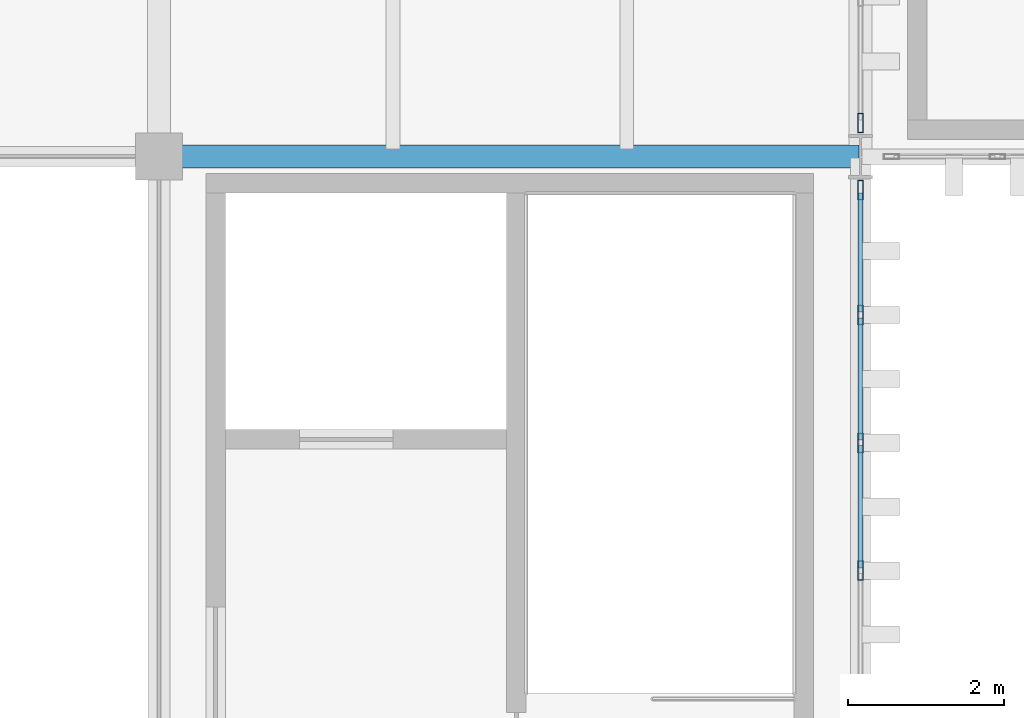
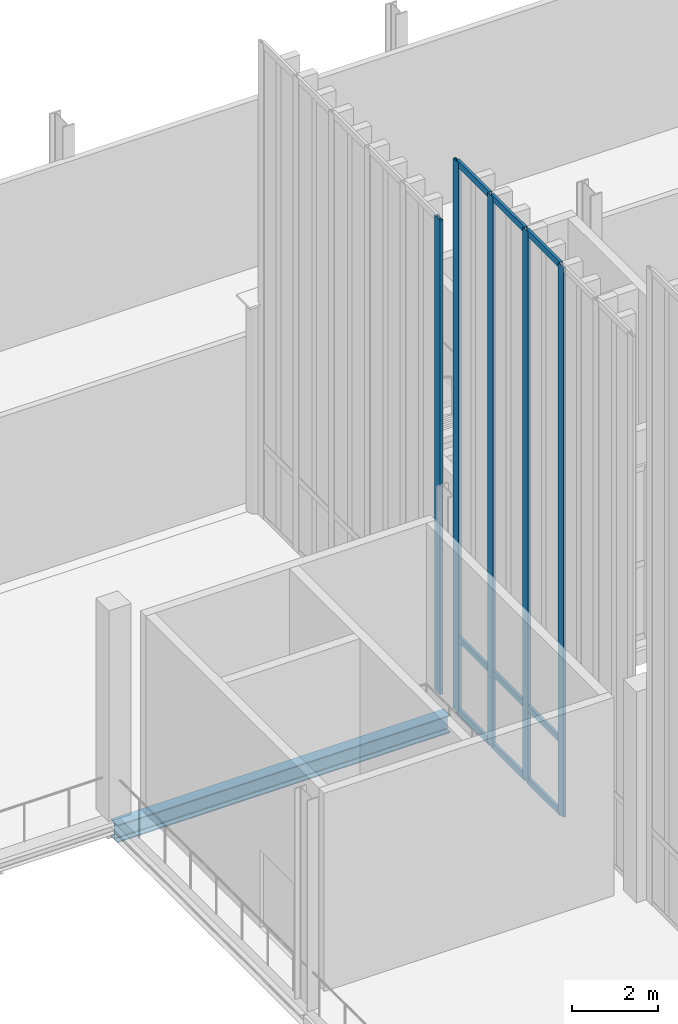
# One storey, part 69 of 237: 14 members, 1 beam, 2 elements without a shape of their own.
"""IFC4 building model written with IfcOpenShell, lengths in metres."""

from ifc_helpers import new_model, si_unit, direction, frame, origin, origin_2d, place, context, subcontext, project, spatial, hollow_rectangle, i_section, extrude, material, layer, layer_set, material_profile, profile_set, type_object, element, aggregate, save


model = new_model("IFC4")

# Units and contexts
model_context = context("Model", 3, precision=1e-05, world=origin(), true_north=direction((0.0, 1.0)))
body_context = subcontext(model_context, "Body", "Model", "MODEL_VIEW")
ifc_project = project(units=[si_unit("LENGTHUNIT", "METRE"), si_unit("AREAUNIT", "SQUARE_METRE"), si_unit("VOLUMEUNIT", "CUBIC_METRE"), si_unit("PLANEANGLEUNIT", "RADIAN"), si_unit("MASSUNIT", "GRAM", prefix="KILO")], contexts=[model_context])

# Site, building, storey
site_placement = place(None, origin())
site = spatial("IfcSite", under=ifc_project, at=site_placement, CompositionType="ELEMENT")
building_placement = place(site_placement, origin())
building = spatial("IfcBuilding", under=site, at=building_placement, Name="Barlavento Convention Centre", CompositionType="ELEMENT")
storey_placement = place(building_placement, frame((0.0, 0.0, 12.0)))
storey = spatial("IfcBuildingStorey", under=building, at=storey_placement, Name="L02", CompositionType="ELEMENT", Elevation=12.0)

# Curtain wall, members
ifc_material_1 = material(Name="Powder-coated aluminium and Low-E glass", Category="aluminium")
ifc_layer = layer(ifc_material_1, 0.18994140625)
ifc_layer_set = layer_set([ifc_layer], Name="ARC-CW-CONG-L02")
curtain_wall_type = type_object("IfcCurtainWallType", Name="ARC-CW-CONG-L02", PredefinedType="NOTDEFINED", material=ifc_layer_set)
curtain_wall_1_placement = place(storey_placement, origin())
curtain_wall_1 = element("IfcCurtainWall", 1, at=curtain_wall_1_placement, inside=storey, type_object=curtain_wall_type, Name="L02 unitised curtain wall CW02", PredefinedType="NOTDEFINED")
ifc_material_2 = material(Name="Powder-coated aluminium", Category="aluminium")
ifc_material_profile_1 = material_profile(ifc_material_2, hollow_rectangle(XDim=0.074951171875, YDim=0.25, WallThickness=0.006103515625, at=origin_2d()), Name="AL-MULL 75x250x6")
ifc_profile_set_1 = profile_set([ifc_material_profile_1], Name="Powder-coated aluminium")
member_type_1 = type_object("IfcMemberType", Name="ARC-CWM-75X250", PredefinedType="MULLION", material=ifc_profile_set_1)
member_1_placement = place(storey_placement, frame((63.0, 39.6865234375, 0.0), z_axis=(0.0, 0.0, 1.0), x_axis=(-1.0, 0.0, 0.0)))
member_1 = element("IfcMember", 2, at=member_1_placement, type_object=member_type_1, Name="CW02 mullion 3", PredefinedType="MULLION", context=body_context, shape_type="SweptSolid", body=[
    extrude(hollow_rectangle(XDim=0.074951171875, YDim=0.25, WallThickness=0.006103515625, at=origin_2d()), origin(), (0.0, 0.0, 1.0), 15.64111328125),
])
member_2_placement = place(storey_placement, frame((63.0, 41.327392578125, 0.0), z_axis=(0.0, 0.0, 1.0), x_axis=(-1.0, 0.0, 0.0)))
member_2 = element("IfcMember", 3, at=member_2_placement, type_object=member_type_1, Name="CW02 mullion 4", PredefinedType="MULLION", context=body_context, shape_type="SweptSolid", body=[
    extrude(hollow_rectangle(XDim=0.074951171875, YDim=0.25, WallThickness=0.006103515625, at=origin_2d()), origin(), (0.0, 0.0, 1.0), 15.64111328125),
])
member_3_placement = place(storey_placement, frame((63.0, 42.96826171875, 0.0), z_axis=(0.0, 0.0, 1.0), x_axis=(-1.0, 0.0, 0.0)))
member_3 = element("IfcMember", 4, at=member_3_placement, type_object=member_type_1, Name="CW02 mullion 5", PredefinedType="MULLION", context=body_context, shape_type="SweptSolid", body=[
    extrude(hollow_rectangle(XDim=0.074951171875, YDim=0.25, WallThickness=0.006103515625, at=origin_2d()), origin(), (0.0, 0.0, 1.0), 15.64111328125),
])
member_4_placement = place(storey_placement, frame((63.0, 44.571533203125, 0.0), z_axis=(0.0, 0.0, 1.0), x_axis=(-1.0, 0.0, 0.0)))
member_4 = element("IfcMember", 5, at=member_4_placement, type_object=member_type_1, Name="CW02 mullion 6", PredefinedType="MULLION", context=body_context, shape_type="SweptSolid", body=[
    extrude(hollow_rectangle(XDim=0.074951171875, YDim=0.25, WallThickness=0.006103515625, at=origin_2d()), origin(), (0.0, 0.0, 1.0), 15.64111328125),
])

# Curtain wall, member
curtain_wall_2_placement = place(storey_placement, origin())
curtain_wall_2 = element("IfcCurtainWall", 6, at=curtain_wall_2_placement, inside=storey, type_object=curtain_wall_type, Name="L02 unitised curtain wall CW02", PredefinedType="NOTDEFINED")
member_5_placement = place(storey_placement, frame((63.0, 45.428466796875, 0.0), z_axis=(0.0, 0.0, 1.0), x_axis=(-1.0, 0.0, 0.0)))
member_5 = element("IfcMember", 7, at=member_5_placement, type_object=member_type_1, Name="CW02 mullion 1", PredefinedType="MULLION", context=body_context, shape_type="SweptSolid", body=[
    extrude(hollow_rectangle(XDim=0.074951171875, YDim=0.25, WallThickness=0.006103515625, at=origin_2d()), origin(), (0.0, 0.0, 1.0), 13.5029296875),
])
aggregate(curtain_wall_2, [member_5])

# Member
ifc_material_profile_2 = material_profile(ifc_material_2, hollow_rectangle(XDim=0.070068359375, YDim=0.179931640625, WallThickness=0.0048828125, at=origin_2d()), Name="AL-TRAN 70x180x5")
ifc_profile_set_2 = profile_set([ifc_material_profile_2], Name="Powder-coated aluminium")
member_type_2 = type_object("IfcMemberType", Name="ARC-CWT-70X180", PredefinedType="USERDEFINED", material=ifc_profile_set_2)
member_6_placement = place(storey_placement, frame((63.0, 39.72412109375, 0.034912109375), z_axis=(0.0, 1.0, 0.0), x_axis=(-1.0, 0.0, 0.0)))
member_6 = element("IfcMember", 8, at=member_6_placement, type_object=member_type_2, Name="CW02 transom 3.1", ObjectType="TRANSOM", PredefinedType="USERDEFINED", context=body_context, shape_type="SweptSolid", body=[
    extrude(hollow_rectangle(XDim=0.070068359375, YDim=0.179931640625, WallThickness=0.0048828125, at=origin_2d()), origin(), (0.0, 0.0, 1.0), 1.565673828125),
])

member_7_placement = place(storey_placement, frame((63.0, 39.72412109375, 2.10009765625), z_axis=(0.0, 1.0, 0.0), x_axis=(-1.0, 0.0, 0.0)))
member_7 = element("IfcMember", 9, at=member_7_placement, type_object=member_type_2, Name="CW02 transom 3.2", ObjectType="TRANSOM", PredefinedType="USERDEFINED", context=body_context, shape_type="SweptSolid", body=[
    extrude(hollow_rectangle(XDim=0.070068359375, YDim=0.179931640625, WallThickness=0.0048828125, at=origin_2d()), origin(), (0.0, 0.0, 1.0), 1.565673828125),
])

member_8_placement = place(storey_placement, frame((63.0, 39.72412109375, 15.60595703125), z_axis=(0.0, 1.0, 0.0), x_axis=(-1.0, 0.0, 0.0)))
member_8 = element("IfcMember", 10, at=member_8_placement, type_object=member_type_2, Name="CW02 transom 3.3", ObjectType="TRANSOM", PredefinedType="USERDEFINED", context=body_context, shape_type="SweptSolid", body=[
    extrude(hollow_rectangle(XDim=0.070068359375, YDim=0.179931640625, WallThickness=0.0048828125, at=origin_2d()), origin(), (0.0, 0.0, 1.0), 1.565673828125),
])

member_9_placement = place(storey_placement, frame((63.0, 41.364990234375, 0.034912109375), z_axis=(0.0, 1.0, 0.0), x_axis=(-1.0, 0.0, 0.0)))
member_9 = element("IfcMember", 11, at=member_9_placement, type_object=member_type_2, Name="CW02 transom 4.1", ObjectType="TRANSOM", PredefinedType="USERDEFINED", context=body_context, shape_type="SweptSolid", body=[
    extrude(hollow_rectangle(XDim=0.070068359375, YDim=0.179931640625, WallThickness=0.0048828125, at=origin_2d()), origin(), (0.0, 0.0, 1.0), 1.565673828125),
])

member_10_placement = place(storey_placement, frame((63.0, 41.364990234375, 2.10009765625), z_axis=(0.0, 1.0, 0.0), x_axis=(-1.0, 0.0, 0.0)))
member_10 = element("IfcMember", 12, at=member_10_placement, type_object=member_type_2, Name="CW02 transom 4.2", ObjectType="TRANSOM", PredefinedType="USERDEFINED", context=body_context, shape_type="SweptSolid", body=[
    extrude(hollow_rectangle(XDim=0.070068359375, YDim=0.179931640625, WallThickness=0.0048828125, at=origin_2d()), origin(), (0.0, 0.0, 1.0), 1.565673828125),
])

member_11_placement = place(storey_placement, frame((63.0, 41.364990234375, 15.60595703125), z_axis=(0.0, 1.0, 0.0), x_axis=(-1.0, 0.0, 0.0)))
member_11 = element("IfcMember", 13, at=member_11_placement, type_object=member_type_2, Name="CW02 transom 4.3", ObjectType="TRANSOM", PredefinedType="USERDEFINED", context=body_context, shape_type="SweptSolid", body=[
    extrude(hollow_rectangle(XDim=0.070068359375, YDim=0.179931640625, WallThickness=0.0048828125, at=origin_2d()), origin(), (0.0, 0.0, 1.0), 1.565673828125),
])

member_12_placement = place(storey_placement, frame((63.0, 43.005615234375, 0.034912109375), z_axis=(0.0, 1.0, 0.0), x_axis=(-1.0, 0.0, 0.0)))
member_12 = element("IfcMember", 14, at=member_12_placement, type_object=member_type_2, Name="CW02 transom 5.1", ObjectType="TRANSOM", PredefinedType="USERDEFINED", context=body_context, shape_type="SweptSolid", body=[
    extrude(hollow_rectangle(XDim=0.070068359375, YDim=0.179931640625, WallThickness=0.0048828125, at=origin_2d()), origin(), (0.0, 0.0, 1.0), 1.5283203125),
])

member_13_placement = place(storey_placement, frame((63.0, 43.005615234375, 2.10009765625), z_axis=(0.0, 1.0, 0.0), x_axis=(-1.0, 0.0, 0.0)))
member_13 = element("IfcMember", 15, at=member_13_placement, type_object=member_type_2, Name="CW02 transom 5.2", ObjectType="TRANSOM", PredefinedType="USERDEFINED", context=body_context, shape_type="SweptSolid", body=[
    extrude(hollow_rectangle(XDim=0.070068359375, YDim=0.179931640625, WallThickness=0.0048828125, at=origin_2d()), origin(), (0.0, 0.0, 1.0), 1.5283203125),
])

member_14_placement = place(storey_placement, frame((63.0, 43.005615234375, 15.60595703125), z_axis=(0.0, 1.0, 0.0), x_axis=(-1.0, 0.0, 0.0)))
member_14 = element("IfcMember", 16, at=member_14_placement, type_object=member_type_2, Name="CW02 transom 5.3", ObjectType="TRANSOM", PredefinedType="USERDEFINED", context=body_context, shape_type="SweptSolid", body=[
    extrude(hollow_rectangle(XDim=0.070068359375, YDim=0.179931640625, WallThickness=0.0048828125, at=origin_2d()), origin(), (0.0, 0.0, 1.0), 1.5283203125),
])

aggregate(curtain_wall_1, [member_1, member_2, member_3, member_4, member_6, member_7, member_8, member_9, member_10, member_11, member_12, member_13, member_14])

# Beam
ifc_material_3 = material(Name="Steel S355", Category="steel")
ifc_material_profile_3 = material_profile(ifc_material_3, i_section(OverallWidth=0.300048828125, OverallDepth=0.5, WebThickness=0.014404296875, FlangeThickness=0.028076171875, FilletRadius=0.027099609375, at=origin_2d()), Name="HEB 500")
ifc_profile_set_3 = profile_set([ifc_material_profile_3], Name="Steel S355")
beam_type = type_object("IfcBeamType", Name="STR-BM-PRI-HEB500", PredefinedType="BEAM", material=ifc_profile_set_3)
beam_placement = place(storey_placement, frame((54.02001953125, 45.0, -0.550048828125), z_axis=(1.0, 0.0, 0.0), x_axis=(0.0, 1.0, 0.0)))
element("IfcBeam", 17, at=beam_placement, inside=storey, type_object=beam_type, Name="L02 primary girder BG09", PredefinedType="BEAM", context=body_context, shape_type="SweptSolid", body=[
    extrude(i_section(OverallWidth=0.300048828125, OverallDepth=0.5, WebThickness=0.014404296875, FlangeThickness=0.028076171875, FilletRadius=0.027099609375, at=origin_2d()), origin(), (0.0, 0.0, 1.0), 8.9599609375),
])

save(model, "model.ifc")
